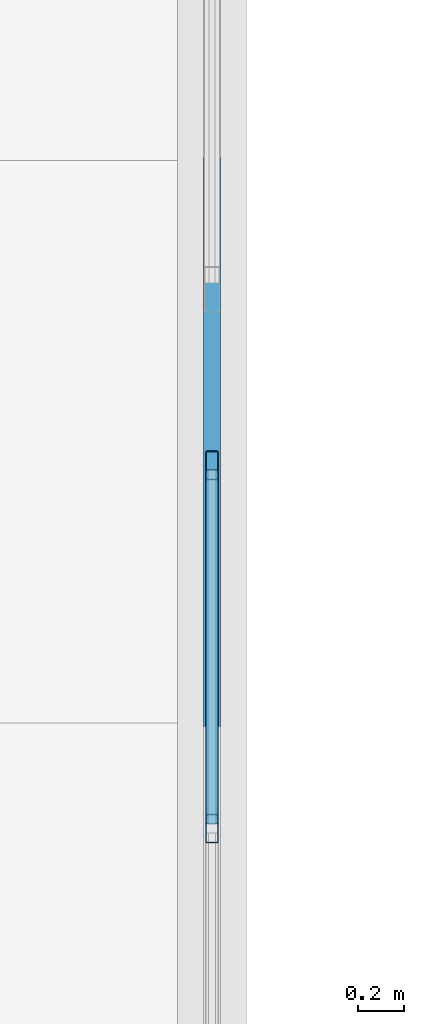
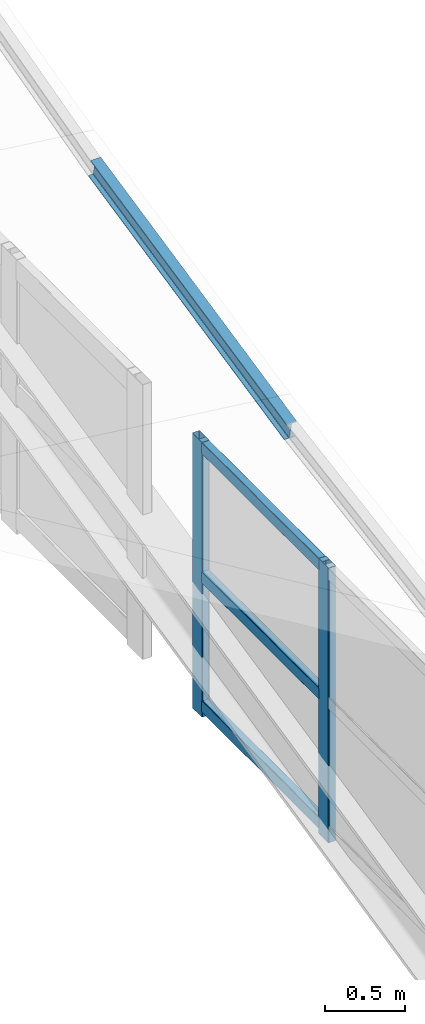
# One storey, part 128 of 262: 6 members, 1 element without a shape of its own.
"""IFC4 building model written with IfcOpenShell, lengths in metres."""

from ifc_helpers import new_model, si_unit, derived_unit, direction, frame, origin, origin_2d, place, context, subcontext, project, spatial, hollow_rectangle, i_section, extrude, material, layer, layer_set, material_profile, profile_set, type_object, element, aggregate, save


model = new_model("IFC4")

# Units and contexts
model_context = context("Model", 3, precision=1e-05, world=origin(), true_north=direction((0.0, 1.0)))
body_context = subcontext(model_context, "Body", "Model", "MODEL_VIEW")
ifc_project = project(units=[si_unit("LENGTHUNIT", "METRE"), si_unit("AREAUNIT", "SQUARE_METRE"), si_unit("VOLUMEUNIT", "CUBIC_METRE"), si_unit("PLANEANGLEUNIT", "RADIAN"), si_unit("MASSUNIT", "GRAM", prefix="KILO"), derived_unit("THERMALTRANSMITTANCEUNIT", [(si_unit("POWERUNIT", "WATT"), 1), (si_unit("LENGTHUNIT", "METRE"), -2), (si_unit("THERMODYNAMICTEMPERATUREUNIT", "KELVIN"), -1)])], contexts=[model_context])

# Site, building, storey
site_placement = place(None, origin())
site = spatial("IfcSite", under=ifc_project, at=site_placement, CompositionType="ELEMENT")
building_placement = place(site_placement, origin())
building = spatial("IfcBuilding", under=site, at=building_placement, Name="Almenara Railside Exhibition Hall", CompositionType="ELEMENT")
storey_placement = place(building_placement, frame((0.0, 0.0, 21.699951171875)))
storey = spatial("IfcBuildingStorey", under=building, at=storey_placement, Name="RF", CompositionType="ELEMENT", Elevation=21.699951171875)

# Member
ifc_material_1 = material(Name="Structural steel S355JR", Category="steel")
ifc_material_profile_1 = material_profile(ifc_material_1, i_section(OverallWidth=0.072998046875, OverallDepth=0.139892578125, WebThickness=0.004638671875, FlangeThickness=0.0068359375, FilletRadius=0.007080078125, at=origin_2d()), Name="IPE 140")
ifc_profile_set_1 = profile_set([ifc_material_profile_1], Name="Structural steel S355JR")
member_type_1 = type_object("IfcMemberType", Name="Canopy Edge Purlin IPE 140 S355JR", PredefinedType="PURLIN", material=ifc_profile_set_1)
member_1_placement = place(storey_placement, frame((66.0, 112.50634765625, 0.980712890625), z_axis=(0.0, 0.977496103583, 0.210953472309), x_axis=(-1.0, 0.0, 0.0)))
element("IfcMember", 1, at=member_1_placement, inside=storey, type_object=member_type_1, Name="MEM-PR-V1-PR-IPE140-08-20", PredefinedType="PURLIN", context=body_context, shape_type="SweptSolid", body=[
    extrude(i_section(OverallWidth=0.072998046875, OverallDepth=0.139892578125, WebThickness=0.004638671875, FlangeThickness=0.0068359375, FilletRadius=0.007080078125, at=origin_2d()), origin(), (0.0, 0.0, 1.0), 2.492919921875),
])

# Curtain wall, members
ifc_material_2 = material(Name="Bronze-anodised aluminium and low-E double glazing", Category="aluminium")
ifc_layer = layer(ifc_material_2, 0.179931640625, Name="Bronze-anodised aluminium and low-E double glazing")
ifc_layer_set = layer_set([ifc_layer], Name="Bronze-anodised aluminium and low-E double glazing")
curtain_wall_type = type_object("IfcCurtainWallType", Name="West Hall Clerestory Curtain Wall 4200x2400", PredefinedType="NOTDEFINED", material=ifc_layer_set)
curtain_wall_placement = place(storey_placement, origin())
curtain_wall = element("IfcCurtainWall", 2, at=curtain_wall_placement, inside=storey, type_object=curtain_wall_type, Name="Curtain wall CW-CL1-190", PredefinedType="NOTDEFINED")
ifc_material_3 = material(Name="Bronze-anodised aluminium", Category="aluminium")
ifc_material_profile_2 = material_profile(ifc_material_3, hollow_rectangle(XDim=0.054931640625, YDim=0.125, WallThickness=0.0029296875, InnerFilletRadius=0.0029296875, OuterFilletRadius=0.006103515625, at=origin_2d()), Name="ALU-MUL 55x125x3")
ifc_profile_set_2 = profile_set([ifc_material_profile_2], Name="Bronze-anodised aluminium")
member_type_2 = type_object("IfcMemberType", Name="Curtain Wall Mullion 55x125x3", PredefinedType="MULLION", material=ifc_profile_set_2)
member_2_placement = place(storey_placement, frame((66.0, 112.050048828125, -1.824951171875), z_axis=(0.0, 0.0, 1.0), x_axis=(-1.0, 0.0, 0.0)))
member_2 = element("IfcMember", 3, at=member_2_placement, type_object=member_type_2, Name="CW-CL1-190 mullion 3", PredefinedType="MULLION", context=body_context, shape_type="SweptSolid", body=[
    extrude(hollow_rectangle(XDim=0.054931640625, YDim=0.125, WallThickness=0.0029296875, InnerFilletRadius=0.0029296875, OuterFilletRadius=0.006103515625, at=origin_2d()), origin(), (0.0, 0.0, 1.0), 2.0849609375),
])
member_3_placement = place(storey_placement, frame((66.0, 113.62255859375, -1.824951171875), z_axis=(0.0, 0.0, 1.0), x_axis=(-1.0, 0.0, 0.0)))
member_3 = element("IfcMember", 4, at=member_3_placement, type_object=member_type_2, Name="CW-CL1-190 mullion 4", PredefinedType="MULLION", context=body_context, shape_type="SweptSolid", body=[
    extrude(hollow_rectangle(XDim=0.054931640625, YDim=0.125, WallThickness=0.0029296875, InnerFilletRadius=0.0029296875, OuterFilletRadius=0.006103515625, at=origin_2d()), origin(), (0.0, 0.0, 1.0), 2.0849609375),
])
ifc_material_profile_3 = material_profile(ifc_material_3, hollow_rectangle(XDim=0.054931640625, YDim=0.090087890625, WallThickness=0.0029296875, InnerFilletRadius=0.0029296875, OuterFilletRadius=0.006103515625, at=origin_2d()), Name="ALU-TRN 55x90x3")
ifc_profile_set_3 = profile_set([ifc_material_profile_3], Name="Bronze-anodised aluminium")
member_type_3 = type_object("IfcMemberType", Name="Curtain Wall Transom 55x90x3", PredefinedType="USERDEFINED", material=ifc_profile_set_3)
member_4_placement = place(storey_placement, frame((66.0, 112.069580078125, -1.744873046875), z_axis=(0.0, 1.0, 0.0), x_axis=(-1.0, 0.0, 0.0)))
member_4 = element("IfcMember", 5, at=member_4_placement, type_object=member_type_3, Name="CW-CL1-190 transom 3.1", ObjectType="TRANSOM", PredefinedType="USERDEFINED", context=body_context, shape_type="SweptSolid", body=[
    extrude(hollow_rectangle(XDim=0.054931640625, YDim=0.090087890625, WallThickness=0.0029296875, InnerFilletRadius=0.0029296875, OuterFilletRadius=0.006103515625, at=origin_2d()), origin(), (0.0, 0.0, 1.0), 1.533447265625),
])
member_5_placement = place(storey_placement, frame((66.0, 112.069580078125, -0.764892578125), z_axis=(0.0, 1.0, 0.0), x_axis=(-1.0, 0.0, 0.0)))
member_5 = element("IfcMember", 6, at=member_5_placement, type_object=member_type_3, Name="CW-CL1-190 transom 3.2", ObjectType="TRANSOM", PredefinedType="USERDEFINED", context=body_context, shape_type="SweptSolid", body=[
    extrude(hollow_rectangle(XDim=0.054931640625, YDim=0.090087890625, WallThickness=0.0029296875, InnerFilletRadius=0.0029296875, OuterFilletRadius=0.006103515625, at=origin_2d()), origin(), (0.0, 0.0, 1.0), 1.533447265625),
])
member_6_placement = place(storey_placement, frame((66.0, 112.069580078125, 0.215087890625), z_axis=(0.0, 1.0, 0.0), x_axis=(-1.0, 0.0, 0.0)))
member_6 = element("IfcMember", 7, at=member_6_placement, type_object=member_type_3, Name="CW-CL1-190 transom 3.3", ObjectType="TRANSOM", PredefinedType="USERDEFINED", context=body_context, shape_type="SweptSolid", body=[
    extrude(hollow_rectangle(XDim=0.054931640625, YDim=0.090087890625, WallThickness=0.0029296875, InnerFilletRadius=0.0029296875, OuterFilletRadius=0.006103515625, at=origin_2d()), origin(), (0.0, 0.0, 1.0), 1.533447265625),
])
aggregate(curtain_wall, [member_2, member_3, member_4, member_5, member_6])

save(model, "model.ifc")
